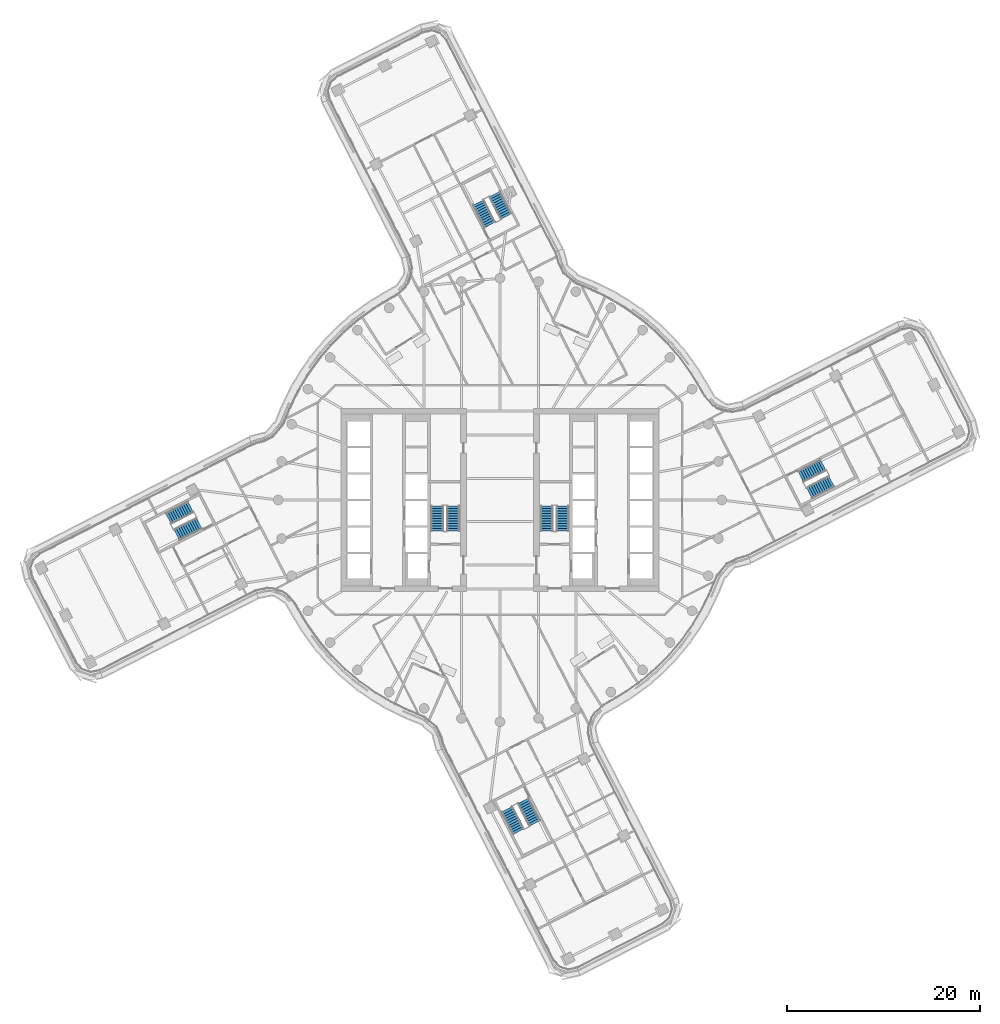
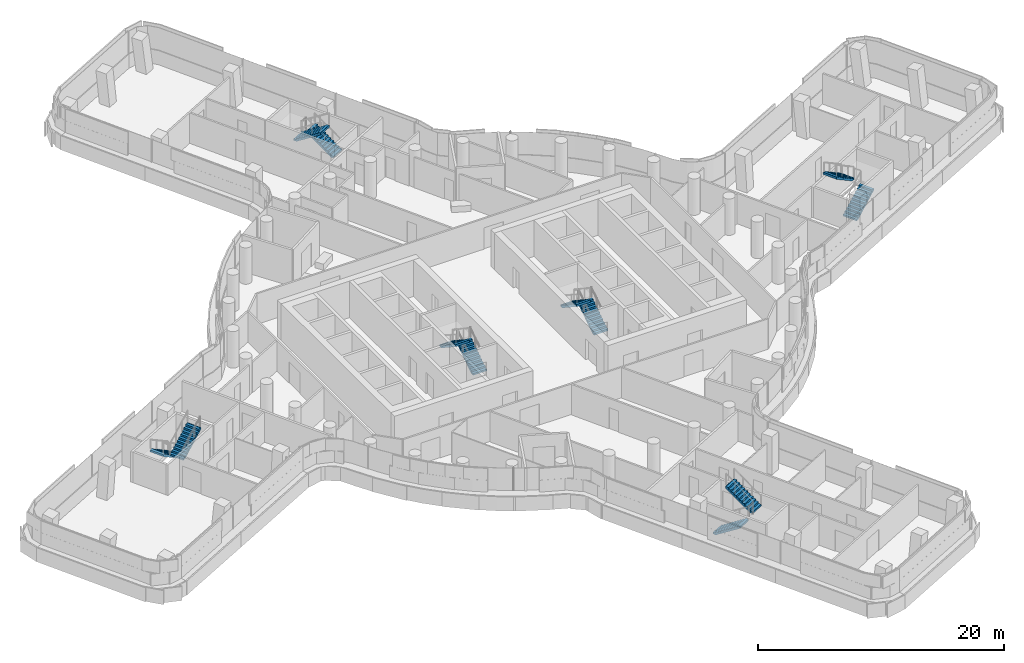
# One storey, part 27 of 37: 12 stair flights, 6 elements without a shape of their own.
"""IFC4 building model written with IfcOpenShell, lengths in metres."""

import ifcopenshell
import ifcopenshell.guid

model = None  # the IFC model being written
_history = None  # IfcOwnerHistory: only IFC2X3 demands one
_inside = {}  # id of a spatial element -> (the spatial element, [elements in it])
_under = {}  # id of a project, library or spatial element -> (it, [spatial elements below it])
_declared = {}  # id of a project -> (the project, [libraries it declares])
_typed = {}  # id of a type object -> (the type object, [elements of that type])
_made_of = {}  # id of a material, layer set ... -> (it, [elements and type objects made of it])


def new_model(schema):
    """Start an empty IFC model of exactly this schema.

    Asked for "IFC4X3", IfcOpenShell would pick the latest addendum, in which some entities
    have other attributes; the version numbers below select the first issue.
    IFC2X3 requires an IfcOwnerHistory on every rooted entity: one is made here for all.
    """
    global model, _history
    if schema == "IFC4X3":
        model = ifcopenshell.file(schema_version=(4, 3, 0, 0))
    else:
        model = ifcopenshell.file(schema=schema)
    _inside.clear()
    _under.clear()
    _declared.clear()
    _typed.clear()
    _made_of.clear()
    _history = None
    if model.schema == "IFC2X3":
        org = make("IfcOrganization", Name="unknown")
        user = make(
            "IfcPersonAndOrganization",
            ThePerson=make("IfcPerson", FamilyName="unknown"),
            TheOrganization=org,
        )
        app = make(
            "IfcApplication",
            ApplicationDeveloper=org,
            Version="unknown",
            ApplicationFullName="unknown",
            ApplicationIdentifier="unknown",
        )
        _history = make(
            "IfcOwnerHistory",
            OwningUser=user,
            OwningApplication=app,
            ChangeAction="ADDED",
            CreationDate=0,
        )
    return model


def make(cls, **values):
    """One entity of the class cls with the attributes given. An attribute that is None is left unset."""
    return model.create_entity(
        cls, **{name: value for name, value in values.items() if value is not None}
    )


def rooted(cls, **values):
    """An entity with a GlobalId (a new one), such as an element, a storey or a relation."""
    return make(cls, GlobalId=ifcopenshell.guid.new(), OwnerHistory=_history, **values)


def si_unit(unit_type, name, prefix=None):
    """IfcSIUnit, for example si_unit("LENGTHUNIT", "METRE", prefix="MILLI")."""
    return make("IfcSIUnit", UnitType=unit_type, Prefix=prefix, Name=name)


def assignment(units):
    """IfcUnitAssignment: the units of a project."""
    return None if units is None else make("IfcUnitAssignment", Units=units)


def point(xyz):
    """IfcCartesianPoint."""
    return None if xyz is None else make("IfcCartesianPoint", Coordinates=xyz)


def direction(xyz):
    """IfcDirection."""
    return None if xyz is None else make("IfcDirection", DirectionRatios=xyz)


def frame(location, z_axis=None, x_axis=None):
    """IfcAxis2Placement3D, a coordinate frame: its origin and axes. An axis left out is left unset."""
    return make(
        "IfcAxis2Placement3D",
        Location=point(location),
        Axis=direction(z_axis),
        RefDirection=direction(x_axis),
    )


def origin():
    """The frame at (0, 0, 0) with its axes left unset."""
    return frame((0.0, 0.0, 0.0))


def place(relative_to, where):
    """IfcLocalPlacement: puts the frame where relative to a parent placement (None: the world)."""
    return make(
        "IfcLocalPlacement", PlacementRelTo=relative_to, RelativePlacement=where
    )


def context(
    kind, dimensions, precision=None, world=None, true_north=None, identifier=None
):
    """IfcGeometricRepresentationContext, for example the 3D "Model" context."""
    return make(
        "IfcGeometricRepresentationContext",
        ContextIdentifier=identifier,
        ContextType=kind,
        CoordinateSpaceDimension=dimensions,
        Precision=precision,
        WorldCoordinateSystem=world,
        TrueNorth=true_north,
    )


def subcontext(parent, identifier, kind, view, scale=None):
    """IfcGeometricRepresentationSubContext, for example "Body" below "Model"."""
    return make(
        "IfcGeometricRepresentationSubContext",
        ContextIdentifier=identifier,
        ContextType=kind,
        ParentContext=parent,
        TargetScale=scale,
        TargetView=view,
    )


def project(units=None, contexts=None):
    """IfcProject with its units and contexts."""
    return rooted(
        "IfcProject",
        Name="project",
        RepresentationContexts=contexts,
        UnitsInContext=assignment(units),
    )


def spatial(cls, under=None, at=None, **own):
    """A site, building, storey or space (cls), placed at a placement, below another one or the project."""
    s = rooted(cls, ObjectPlacement=at, **own)
    if under is not None:
        _under.setdefault(under.id(), (under, []))[1].append(s)
    return s


def polyline(points):
    """IfcPolyline through the points."""
    return make("IfcPolyline", Points=[point(p) for p in points])


def outline(outer, holes=None, kind="AREA"):
    """IfcArbitraryClosedProfileDef: a profile drawn as a closed curve; with holes, ...WithVoids."""
    if holes is None:
        return make("IfcArbitraryClosedProfileDef", ProfileType=kind, OuterCurve=outer)
    return make(
        "IfcArbitraryProfileDefWithVoids",
        ProfileType=kind,
        OuterCurve=outer,
        InnerCurves=holes,
    )


def extrude(swept, where, along, depth):
    """IfcExtrudedAreaSolid: the profile swept, set in the frame where, extruded along a direction by depth."""
    return make(
        "IfcExtrudedAreaSolid",
        SweptArea=swept,
        Position=where,
        ExtrudedDirection=direction(along),
        Depth=depth,
    )


def shape(context_of_items, identifier, shape_type, items):
    """IfcShapeRepresentation: the items that make up one representation, for example the "Body"."""
    return make(
        "IfcShapeRepresentation",
        ContextOfItems=context_of_items,
        RepresentationIdentifier=identifier,
        RepresentationType=shape_type,
        Items=items,
    )


def material(Name=None, Category=None):
    """IfcMaterial."""
    return make("IfcMaterial", Name=Name, Category=Category)


def made_of(thing, what):
    """Note that an element or type object is made of a material, layer set ...; save() writes the relation."""
    if what is not None:
        _made_of.setdefault(what.id(), (what, []))[1].append(thing)
    return thing


def type_object(cls, material=None, **own):
    """A type object (cls), such as IfcWallType, which elements share."""
    return made_of(rooted(cls, **own), material)


def element(
    cls,
    number,
    at=None,
    inside=None,
    cuts=None,
    type_object=None,
    material=None,
    context=None,
    identifier="Body",
    shape_type=None,
    held_by="IfcProductDefinitionShape",
    body=None,
    shapes=None,
    **own,
):
    """One element of the class cls, such as IfcWall. Its Tag is "e" and its number.

    at: its placement. inside: the storey or other place that contains it. cuts: it is an
    opening in that element (IfcRelVoidsElement). A single representation is given by context,
    identifier, shape_type and body (its items); several are given by shapes. held_by: the class
    of the entity that holds the representations. save() writes the other relations.
    """
    e = rooted(cls, Tag="e%d" % number, ObjectPlacement=at, **own)
    if body is not None:
        shapes = [shape(context, identifier, shape_type, body)]
    if shapes is not None:
        e.Representation = make(held_by, Representations=shapes)
    if inside is not None:
        _inside.setdefault(inside.id(), (inside, []))[1].append(e)
    if cuts is not None:
        rooted(
            "IfcRelVoidsElement", RelatingBuildingElement=cuts, RelatedOpeningElement=e
        )
    if type_object is not None:
        _typed.setdefault(type_object.id(), (type_object, []))[1].append(e)
    return made_of(e, material)


def aggregate(whole, parts):
    """IfcRelAggregates: a whole, such as a stair, and the parts it consists of."""
    return rooted("IfcRelAggregates", RelatingObject=whole, RelatedObjects=parts)


def save(model, path):
    """Write the relations noted so far, then the file.

    IfcRelAggregates (storeys below a building ...), IfcRelContainedInSpatialStructure (elements
    in a storey), IfcRelDefinesByType, IfcRelAssociatesMaterial and IfcRelDeclares: one each for
    every whole, place, type object, material and project.
    """
    for whole, parts in _under.values():
        aggregate(whole, parts)
    for where, things in _inside.values():
        rooted(
            "IfcRelContainedInSpatialStructure",
            RelatedElements=things,
            RelatingStructure=where,
        )
    for kind, things in _typed.values():
        rooted("IfcRelDefinesByType", RelatedObjects=things, RelatingType=kind)
    for what, things in _made_of.values():
        rooted("IfcRelAssociatesMaterial", RelatedObjects=things, RelatingMaterial=what)
    for by, libraries in _declared.values():
        rooted("IfcRelDeclares", RelatingContext=by, RelatedDefinitions=libraries)
    model.write(path)


model = new_model("IFC4")

# Units and contexts
model_context = context("Model", 3, precision=1e-05, world=origin(), true_north=direction((0.0, 1.0)))
body_context = subcontext(model_context, "Body", "Model", "MODEL_VIEW")
ifc_project = project(units=[si_unit("LENGTHUNIT", "METRE"), si_unit("AREAUNIT", "SQUARE_METRE"), si_unit("VOLUMEUNIT", "CUBIC_METRE"), si_unit("PLANEANGLEUNIT", "RADIAN"), si_unit("MASSUNIT", "GRAM", prefix="KILO")], contexts=[model_context])

# Site, building, storey
site_placement = place(None, origin())
site = spatial("IfcSite", under=ifc_project, at=site_placement, CompositionType="ELEMENT")
building_placement = place(site_placement, origin())
building = spatial("IfcBuilding", under=site, at=building_placement, Name="Tamarind Cross Interchange Tower", CompositionType="ELEMENT")
storey_placement = place(building_placement, frame((0.0, 0.0, 133.0)))
storey = spatial("IfcBuildingStorey", under=building, at=storey_placement, Name="L32", CompositionType="ELEMENT", Elevation=133.0)

# Stair, stair flights
ifc_material_1 = material(Name="Exit stair")
stair_type = type_object("IfcStairType", Name="Exit stair", PredefinedType="HALF_TURN_STAIR", material=ifc_material_1)
stair_1_placement = place(storey_placement, origin())
stair_1 = element("IfcStair", 1, at=stair_1_placement, inside=storey, type_object=stair_type, Name="L32 exit stair ST1", PredefinedType="HALF_TURN_STAIR")
ifc_material_2 = material(Name="Exit stair flight")
stair_flight_type = type_object("IfcStairFlightType", Name="Exit stair flight", PredefinedType="STRAIGHT", material=ifc_material_2)
stair_flight_1_placement = place(storey_placement, frame((-4.85009765625, -3.199951171875, 0.0), z_axis=(0.0, 0.0, 1.0), x_axis=(0.0, 1.0, 0.0)))
stair_flight_1 = element("IfcStairFlight", 2, at=stair_flight_1_placement, type_object=stair_flight_type, Name="ST1 flight 1", NumberOfRisers=11, NumberOfTreads=10, PredefinedType="STRAIGHT", RiserHeight=0.170454545, TreadLength=0.26, context=body_context, shape_type="SweptSolid", body=[
    extrude(outline(polyline([(0.0, 0.0), (0.0, 0.17041015625), (0.260009765625, 0.17041015625), (0.260009765625, 0.3408203125), (0.52001953125, 0.3408203125), (0.52001953125, 0.511474609375), (0.780029296875, 0.511474609375), (0.780029296875, 0.681884765625), (1.0400390625, 0.681884765625), (1.0400390625, 0.852294921875), (1.300048828125, 0.852294921875), (1.300048828125, 1.022705078125), (1.56005859375, 1.022705078125), (1.56005859375, 1.193115234375), (1.820068359375, 1.193115234375), (1.820068359375, 1.363525390625), (2.080078125, 1.363525390625), (2.080078125, 1.5341796875), (2.340087890625, 1.5341796875), (2.340087890625, 1.70458984375), (2.60009765625, 1.70458984375), (2.60009765625, 1.875), (2.60009765625, 1.525390625), (0.2734375, 0.0), (0.0, 0.0)])), frame((0.0, 0.64990234375, 0.0), z_axis=(0.0, -1.0, 0.0), x_axis=(1.0, 0.0, 0.0)), (0.0, 0.0, 1.0), 1.300048828125),
])
stair_flight_2_placement = place(storey_placement, frame((-6.5, -0.60009765625, 1.875), z_axis=(0.0, 0.0, 1.0), x_axis=(0.0, -1.0, 0.0)))
stair_flight_2 = element("IfcStairFlight", 3, at=stair_flight_2_placement, type_object=stair_flight_type, Name="ST1 flight 2", NumberOfRisers=11, NumberOfTreads=10, PredefinedType="STRAIGHT", RiserHeight=0.170454545, TreadLength=0.26, context=body_context, shape_type="SweptSolid", body=[
    extrude(outline(polyline([(0.0, 0.0), (0.0, 0.17041015625), (0.260009765625, 0.17041015625), (0.260009765625, 0.3408203125), (0.52001953125, 0.3408203125), (0.52001953125, 0.511474609375), (0.780029296875, 0.511474609375), (0.780029296875, 0.681884765625), (1.0400390625, 0.681884765625), (1.0400390625, 0.852294921875), (1.300048828125, 0.852294921875), (1.300048828125, 1.022705078125), (1.56005859375, 1.022705078125), (1.56005859375, 1.193115234375), (1.820068359375, 1.193115234375), (1.820068359375, 1.363525390625), (2.080078125, 1.363525390625), (2.080078125, 1.5341796875), (2.340087890625, 1.5341796875), (2.340087890625, 1.70458984375), (2.60009765625, 1.70458984375), (2.60009765625, 1.7548828125), (2.612060546875, 1.7548828125), (2.612060546875, 1.533203125), (0.2734375, 0.0), (0.0, 0.0)])), frame((0.0, 0.64990234375, 0.0), z_axis=(0.0, -1.0, 0.0), x_axis=(1.0, 0.0, 0.0)), (0.0, 0.0, 1.0), 1.300048828125),
])
aggregate(stair_1, [stair_flight_1, stair_flight_2])

stair_2_placement = place(storey_placement, origin())
stair_2 = element("IfcStair", 4, at=stair_2_placement, inside=storey, type_object=stair_type, Name="L32 exit stair ST2", PredefinedType="HALF_TURN_STAIR")
stair_flight_3_placement = place(storey_placement, frame((6.5, -3.199951171875, 0.0), z_axis=(0.0, 0.0, 1.0), x_axis=(0.0, 1.0, 0.0)))
stair_flight_3 = element("IfcStairFlight", 5, at=stair_flight_3_placement, type_object=stair_flight_type, Name="ST2 flight 1", NumberOfRisers=11, NumberOfTreads=10, PredefinedType="STRAIGHT", RiserHeight=0.170454545, TreadLength=0.26, context=body_context, shape_type="SweptSolid", body=[
    extrude(outline(polyline([(0.0, 0.0), (0.0, 0.17041015625), (0.260009765625, 0.17041015625), (0.260009765625, 0.3408203125), (0.52001953125, 0.3408203125), (0.52001953125, 0.511474609375), (0.780029296875, 0.511474609375), (0.780029296875, 0.681884765625), (1.0400390625, 0.681884765625), (1.0400390625, 0.852294921875), (1.300048828125, 0.852294921875), (1.300048828125, 1.022705078125), (1.56005859375, 1.022705078125), (1.56005859375, 1.193115234375), (1.820068359375, 1.193115234375), (1.820068359375, 1.363525390625), (2.080078125, 1.363525390625), (2.080078125, 1.5341796875), (2.340087890625, 1.5341796875), (2.340087890625, 1.70458984375), (2.60009765625, 1.70458984375), (2.60009765625, 1.875), (2.60009765625, 1.525390625), (0.2734375, 0.0), (0.0, 0.0)])), frame((0.0, 0.64990234375, 0.0), z_axis=(0.0, -1.0, 0.0), x_axis=(1.0, 0.0, 0.0)), (0.0, 0.0, 1.0), 1.300048828125),
])
stair_flight_4_placement = place(storey_placement, frame((4.85009765625, -0.60009765625, 1.875), z_axis=(0.0, 0.0, 1.0), x_axis=(0.0, -1.0, 0.0)))
stair_flight_4 = element("IfcStairFlight", 6, at=stair_flight_4_placement, type_object=stair_flight_type, Name="ST2 flight 2", NumberOfRisers=11, NumberOfTreads=10, PredefinedType="STRAIGHT", RiserHeight=0.170454545, TreadLength=0.26, context=body_context, shape_type="SweptSolid", body=[
    extrude(outline(polyline([(0.0, 0.0), (0.0, 0.17041015625), (0.260009765625, 0.17041015625), (0.260009765625, 0.3408203125), (0.52001953125, 0.3408203125), (0.52001953125, 0.511474609375), (0.780029296875, 0.511474609375), (0.780029296875, 0.681884765625), (1.0400390625, 0.681884765625), (1.0400390625, 0.852294921875), (1.300048828125, 0.852294921875), (1.300048828125, 1.022705078125), (1.56005859375, 1.022705078125), (1.56005859375, 1.193115234375), (1.820068359375, 1.193115234375), (1.820068359375, 1.363525390625), (2.080078125, 1.363525390625), (2.080078125, 1.5341796875), (2.340087890625, 1.5341796875), (2.340087890625, 1.70458984375), (2.60009765625, 1.70458984375), (2.60009765625, 1.7548828125), (2.612060546875, 1.7548828125), (2.612060546875, 1.533203125), (0.2734375, 0.0), (0.0, 0.0)])), frame((0.0, 0.64990234375, 0.0), z_axis=(0.0, -1.0, 0.0), x_axis=(1.0, 0.0, 0.0)), (0.0, 0.0, 1.0), 1.300048828125),
])
aggregate(stair_2, [stair_flight_3, stair_flight_4])

stair_3_placement = place(storey_placement, origin())
stair_3 = element("IfcStair", 7, at=stair_3_placement, inside=storey, type_object=stair_type, Name="L32 exit stair ST3", PredefinedType="HALF_TURN_STAIR")
stair_flight_5_placement = place(storey_placement, frame((32.07763671875, 0.731689453125, 0.0), z_axis=(0.0, 0.0, 1.0), x_axis=(0.889697026233, 0.456551422638, 0.0)))
stair_flight_5 = element("IfcStairFlight", 8, at=stair_flight_5_placement, type_object=stair_flight_type, Name="ST3 flight 1", NumberOfRisers=11, NumberOfTreads=10, PredefinedType="STRAIGHT", RiserHeight=0.170454545, TreadLength=0.26, context=body_context, shape_type="SweptSolid", body=[
    extrude(outline(polyline([(0.0, 0.0), (0.0, 0.17041015625), (0.260009765625, 0.17041015625), (0.260009765625, 0.3408203125), (0.52001953125, 0.3408203125), (0.52001953125, 0.511474609375), (0.780029296875, 0.511474609375), (0.780029296875, 0.681884765625), (1.0400390625, 0.681884765625), (1.0400390625, 0.852294921875), (1.300048828125, 0.852294921875), (1.300048828125, 1.022705078125), (1.56005859375, 1.022705078125), (1.56005859375, 1.193115234375), (1.820068359375, 1.193115234375), (1.820068359375, 1.363525390625), (2.080078125, 1.363525390625), (2.080078125, 1.5341796875), (2.340087890625, 1.5341796875), (2.340087890625, 1.70458984375), (2.60009765625, 1.70458984375), (2.60009765625, 1.875), (2.60009765625, 1.525390625), (0.2734375, 0.0), (0.0, 0.0)])), frame((0.0, 0.64990234375, 0.0), z_axis=(0.0, -1.0, 0.0), x_axis=(1.0, 0.0, 0.0)), (0.0, 0.0, 1.0), 1.300048828125),
])
stair_flight_6_placement = place(storey_placement, frame((33.5234375, 3.609130859375, 1.875), z_axis=(0.0, 0.0, 1.0), x_axis=(-0.889697026233, -0.456551422638, 0.0)))
stair_flight_6 = element("IfcStairFlight", 9, at=stair_flight_6_placement, type_object=stair_flight_type, Name="ST3 flight 2", NumberOfRisers=11, NumberOfTreads=10, PredefinedType="STRAIGHT", RiserHeight=0.170454545, TreadLength=0.26, context=body_context, shape_type="SweptSolid", body=[
    extrude(outline(polyline([(0.0, 0.0), (0.0, 0.17041015625), (0.260009765625, 0.17041015625), (0.260009765625, 0.3408203125), (0.52001953125, 0.3408203125), (0.52001953125, 0.511474609375), (0.780029296875, 0.511474609375), (0.780029296875, 0.681884765625), (1.0400390625, 0.681884765625), (1.0400390625, 0.852294921875), (1.300048828125, 0.852294921875), (1.300048828125, 1.022705078125), (1.56005859375, 1.022705078125), (1.56005859375, 1.193115234375), (1.820068359375, 1.193115234375), (1.820068359375, 1.363525390625), (2.080078125, 1.363525390625), (2.080078125, 1.5341796875), (2.340087890625, 1.5341796875), (2.340087890625, 1.70458984375), (2.60009765625, 1.70458984375), (2.60009765625, 1.7548828125), (2.612060546875, 1.7548828125), (2.612060546875, 1.533203125), (0.2734375, 0.0), (0.0, 0.0)])), frame((0.0, 0.64990234375, 0.0), z_axis=(0.0, -1.0, 0.0), x_axis=(1.0, 0.0, 0.0)), (0.0, 0.0, 1.0), 1.300048828125),
])
aggregate(stair_3, [stair_flight_5, stair_flight_6])

stair_4_placement = place(storey_placement, origin())
stair_4 = element("IfcStair", 10, at=stair_4_placement, inside=storey, type_object=stair_type, Name="L32 exit stair ST4", PredefinedType="HALF_TURN_STAIR")
stair_flight_7_placement = place(storey_placement, frame((0.637939453125, 29.408447265625, 0.0), z_axis=(0.0, 0.0, 1.0), x_axis=(-0.456551422638, 0.889697026233, 0.0)))
stair_flight_7 = element("IfcStairFlight", 11, at=stair_flight_7_placement, type_object=stair_flight_type, Name="ST4 flight 1", NumberOfRisers=11, NumberOfTreads=10, PredefinedType="STRAIGHT", RiserHeight=0.170454545, TreadLength=0.26, context=body_context, shape_type="SweptSolid", body=[
    extrude(outline(polyline([(0.0, 0.0), (0.0, 0.17041015625), (0.260009765625, 0.17041015625), (0.260009765625, 0.3408203125), (0.52001953125, 0.3408203125), (0.52001953125, 0.511474609375), (0.780029296875, 0.511474609375), (0.780029296875, 0.681884765625), (1.0400390625, 0.681884765625), (1.0400390625, 0.852294921875), (1.300048828125, 0.852294921875), (1.300048828125, 1.022705078125), (1.56005859375, 1.022705078125), (1.56005859375, 1.193115234375), (1.820068359375, 1.193115234375), (1.820068359375, 1.363525390625), (2.080078125, 1.363525390625), (2.080078125, 1.5341796875), (2.340087890625, 1.5341796875), (2.340087890625, 1.70458984375), (2.60009765625, 1.70458984375), (2.60009765625, 1.875), (2.60009765625, 1.525390625), (0.2734375, 0.0), (0.0, 0.0)])), frame((0.0, 0.64990234375, 0.0), z_axis=(0.0, -1.0, 0.0), x_axis=(1.0, 0.0, 0.0)), (0.0, 0.0, 1.0), 1.300048828125),
])
stair_flight_8_placement = place(storey_placement, frame((-2.239501953125, 30.854248046875, 1.875), z_axis=(0.0, 0.0, 1.0), x_axis=(0.456551422638, -0.889697026233, 0.0)))
stair_flight_8 = element("IfcStairFlight", 12, at=stair_flight_8_placement, type_object=stair_flight_type, Name="ST4 flight 2", NumberOfRisers=11, NumberOfTreads=10, PredefinedType="STRAIGHT", RiserHeight=0.170454545, TreadLength=0.26, context=body_context, shape_type="SweptSolid", body=[
    extrude(outline(polyline([(0.0, 0.0), (0.0, 0.17041015625), (0.260009765625, 0.17041015625), (0.260009765625, 0.3408203125), (0.52001953125, 0.3408203125), (0.52001953125, 0.511474609375), (0.780029296875, 0.511474609375), (0.780029296875, 0.681884765625), (1.0400390625, 0.681884765625), (1.0400390625, 0.852294921875), (1.300048828125, 0.852294921875), (1.300048828125, 1.022705078125), (1.56005859375, 1.022705078125), (1.56005859375, 1.193115234375), (1.820068359375, 1.193115234375), (1.820068359375, 1.363525390625), (2.080078125, 1.363525390625), (2.080078125, 1.5341796875), (2.340087890625, 1.5341796875), (2.340087890625, 1.70458984375), (2.60009765625, 1.70458984375), (2.60009765625, 1.7548828125), (2.612060546875, 1.7548828125), (2.612060546875, 1.533203125), (0.2734375, 0.0), (0.0, 0.0)])), frame((0.0, 0.64990234375, 0.0), z_axis=(0.0, -1.0, 0.0), x_axis=(1.0, 0.0, 0.0)), (0.0, 0.0, 1.0), 1.300048828125),
])
aggregate(stair_4, [stair_flight_7, stair_flight_8])

stair_5_placement = place(storey_placement, origin())
stair_5 = element("IfcStair", 13, at=stair_5_placement, inside=storey, type_object=stair_type, Name="L32 exit stair ST5", PredefinedType="HALF_TURN_STAIR")
stair_flight_9_placement = place(storey_placement, frame((-32.07763671875, -0.731689453125, 0.0), z_axis=(0.0, 0.0, 1.0), x_axis=(-0.889697026233, -0.456551422638, 0.0)))
stair_flight_9 = element("IfcStairFlight", 14, at=stair_flight_9_placement, type_object=stair_flight_type, Name="ST5 flight 1", NumberOfRisers=11, NumberOfTreads=10, PredefinedType="STRAIGHT", RiserHeight=0.170454545, TreadLength=0.26, context=body_context, shape_type="SweptSolid", body=[
    extrude(outline(polyline([(0.0, 0.0), (0.0, 0.17041015625), (0.260009765625, 0.17041015625), (0.260009765625, 0.3408203125), (0.52001953125, 0.3408203125), (0.52001953125, 0.511474609375), (0.780029296875, 0.511474609375), (0.780029296875, 0.681884765625), (1.0400390625, 0.681884765625), (1.0400390625, 0.852294921875), (1.300048828125, 0.852294921875), (1.300048828125, 1.022705078125), (1.56005859375, 1.022705078125), (1.56005859375, 1.193115234375), (1.820068359375, 1.193115234375), (1.820068359375, 1.363525390625), (2.080078125, 1.363525390625), (2.080078125, 1.5341796875), (2.340087890625, 1.5341796875), (2.340087890625, 1.70458984375), (2.60009765625, 1.70458984375), (2.60009765625, 1.875), (2.60009765625, 1.525390625), (0.2734375, 0.0), (0.0, 0.0)])), frame((0.0, 0.64990234375, 0.0), z_axis=(0.0, -1.0, 0.0), x_axis=(1.0, 0.0, 0.0)), (0.0, 0.0, 1.0), 1.300048828125),
])
stair_flight_10_placement = place(storey_placement, frame((-33.5234375, -3.609130859375, 1.875), z_axis=(0.0, 0.0, 1.0), x_axis=(0.889697026233, 0.456551422638, 0.0)))
stair_flight_10 = element("IfcStairFlight", 15, at=stair_flight_10_placement, type_object=stair_flight_type, Name="ST5 flight 2", NumberOfRisers=11, NumberOfTreads=10, PredefinedType="STRAIGHT", RiserHeight=0.170454545, TreadLength=0.26, context=body_context, shape_type="SweptSolid", body=[
    extrude(outline(polyline([(0.0, 0.0), (0.0, 0.17041015625), (0.260009765625, 0.17041015625), (0.260009765625, 0.3408203125), (0.52001953125, 0.3408203125), (0.52001953125, 0.511474609375), (0.780029296875, 0.511474609375), (0.780029296875, 0.681884765625), (1.0400390625, 0.681884765625), (1.0400390625, 0.852294921875), (1.300048828125, 0.852294921875), (1.300048828125, 1.022705078125), (1.56005859375, 1.022705078125), (1.56005859375, 1.193115234375), (1.820068359375, 1.193115234375), (1.820068359375, 1.363525390625), (2.080078125, 1.363525390625), (2.080078125, 1.5341796875), (2.340087890625, 1.5341796875), (2.340087890625, 1.70458984375), (2.60009765625, 1.70458984375), (2.60009765625, 1.7548828125), (2.612060546875, 1.7548828125), (2.612060546875, 1.533203125), (0.2734375, 0.0), (0.0, 0.0)])), frame((0.0, 0.64990234375, 0.0), z_axis=(0.0, -1.0, 0.0), x_axis=(1.0, 0.0, 0.0)), (0.0, 0.0, 1.0), 1.300048828125),
])
aggregate(stair_5, [stair_flight_9, stair_flight_10])

stair_6_placement = place(storey_placement, origin())
stair_6 = element("IfcStair", 16, at=stair_6_placement, inside=storey, type_object=stair_type, Name="L32 exit stair ST6", PredefinedType="HALF_TURN_STAIR")
stair_flight_11_placement = place(storey_placement, frame((0.731689453125, -32.07763671875, 0.0), z_axis=(0.0, 0.0, 1.0), x_axis=(0.456551422638, -0.889697026233, 0.0)))
stair_flight_11 = element("IfcStairFlight", 17, at=stair_flight_11_placement, type_object=stair_flight_type, Name="ST6 flight 1", NumberOfRisers=11, NumberOfTreads=10, PredefinedType="STRAIGHT", RiserHeight=0.170454545, TreadLength=0.26, context=body_context, shape_type="SweptSolid", body=[
    extrude(outline(polyline([(0.0, 0.0), (0.0, 0.17041015625), (0.260009765625, 0.17041015625), (0.260009765625, 0.3408203125), (0.52001953125, 0.3408203125), (0.52001953125, 0.511474609375), (0.780029296875, 0.511474609375), (0.780029296875, 0.681884765625), (1.0400390625, 0.681884765625), (1.0400390625, 0.852294921875), (1.300048828125, 0.852294921875), (1.300048828125, 1.022705078125), (1.56005859375, 1.022705078125), (1.56005859375, 1.193115234375), (1.820068359375, 1.193115234375), (1.820068359375, 1.363525390625), (2.080078125, 1.363525390625), (2.080078125, 1.5341796875), (2.340087890625, 1.5341796875), (2.340087890625, 1.70458984375), (2.60009765625, 1.70458984375), (2.60009765625, 1.875), (2.60009765625, 1.525390625), (0.2734375, 0.0), (0.0, 0.0)])), frame((0.0, 0.64990234375, 0.0), z_axis=(0.0, -1.0, 0.0), x_axis=(1.0, 0.0, 0.0)), (0.0, 0.0, 1.0), 1.300048828125),
])
stair_flight_12_placement = place(storey_placement, frame((3.609130859375, -33.5234375, 1.875), z_axis=(0.0, 0.0, 1.0), x_axis=(-0.456551422638, 0.889697026233, 0.0)))
stair_flight_12 = element("IfcStairFlight", 18, at=stair_flight_12_placement, type_object=stair_flight_type, Name="ST6 flight 2", NumberOfRisers=11, NumberOfTreads=10, PredefinedType="STRAIGHT", RiserHeight=0.170454545, TreadLength=0.26, context=body_context, shape_type="SweptSolid", body=[
    extrude(outline(polyline([(0.0, 0.0), (0.0, 0.17041015625), (0.260009765625, 0.17041015625), (0.260009765625, 0.3408203125), (0.52001953125, 0.3408203125), (0.52001953125, 0.511474609375), (0.780029296875, 0.511474609375), (0.780029296875, 0.681884765625), (1.0400390625, 0.681884765625), (1.0400390625, 0.852294921875), (1.300048828125, 0.852294921875), (1.300048828125, 1.022705078125), (1.56005859375, 1.022705078125), (1.56005859375, 1.193115234375), (1.820068359375, 1.193115234375), (1.820068359375, 1.363525390625), (2.080078125, 1.363525390625), (2.080078125, 1.5341796875), (2.340087890625, 1.5341796875), (2.340087890625, 1.70458984375), (2.60009765625, 1.70458984375), (2.60009765625, 1.7548828125), (2.612060546875, 1.7548828125), (2.612060546875, 1.533203125), (0.2734375, 0.0), (0.0, 0.0)])), frame((0.0, 0.64990234375, 0.0), z_axis=(0.0, -1.0, 0.0), x_axis=(1.0, 0.0, 0.0)), (0.0, 0.0, 1.0), 1.300048828125),
])
aggregate(stair_6, [stair_flight_11, stair_flight_12])

save(model, "model.ifc")
